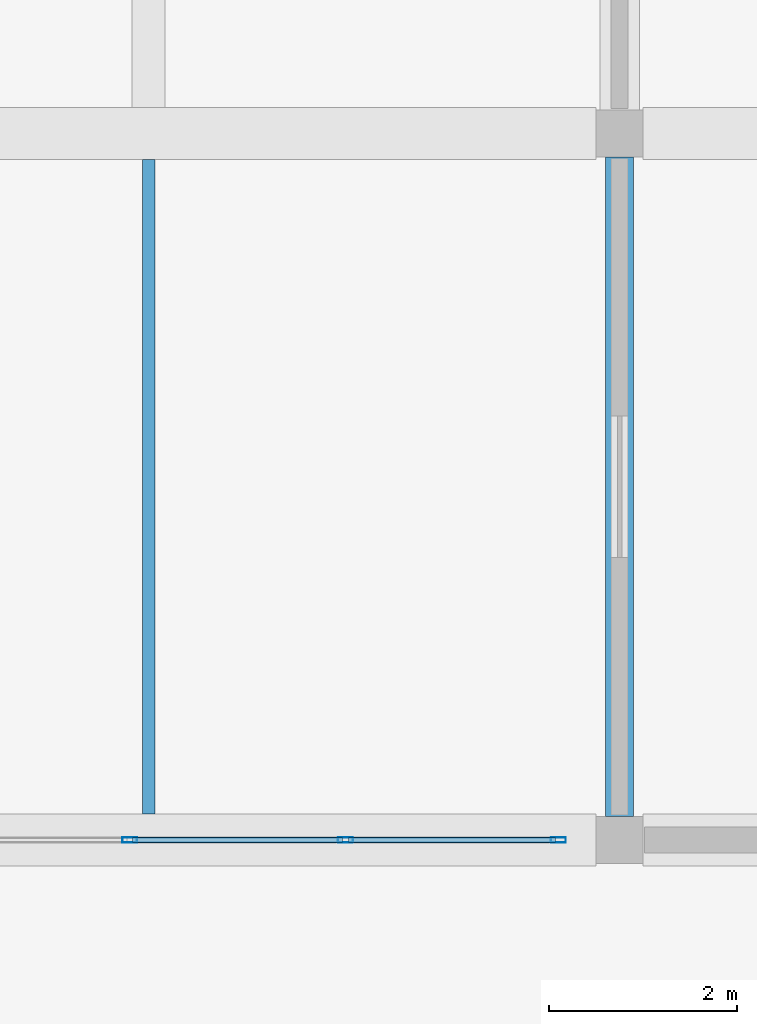
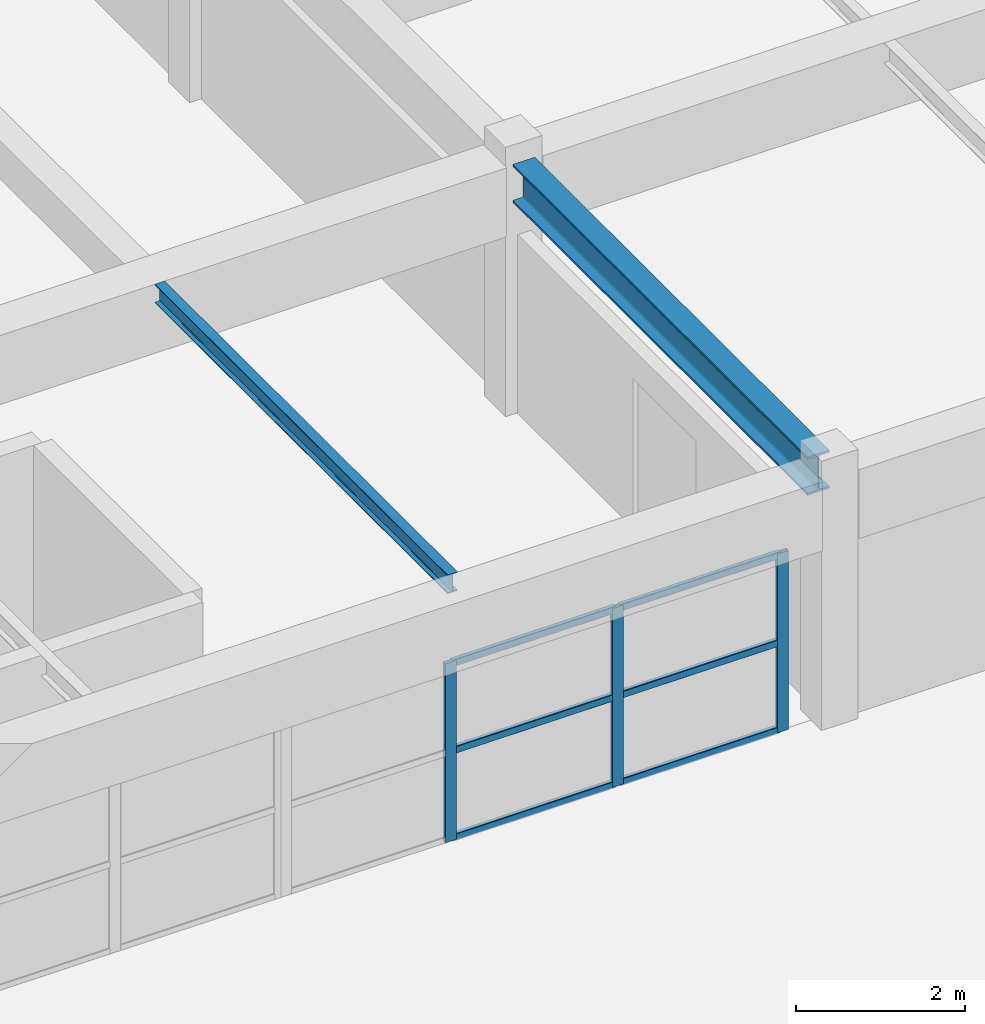
# One storey, part 6 of 82: 9 members, 2 beams, 1 element without a shape of its own.
"""IFC4 building model written with IfcOpenShell, lengths in metres."""

from ifc_helpers import new_model, si_unit, direction, frame, origin, origin_2d, place, context, subcontext, project, spatial, hollow_rectangle, i_section, extrude, material, material_profile, profile_set, type_object, element, aggregate, save


model = new_model("IFC4")

# Units and contexts
model_context = context("Model", 3, precision=1e-05, world=origin(), true_north=direction((0.0, 1.0)))
body_context = subcontext(model_context, "Body", "Model", "MODEL_VIEW")
ifc_project = project(units=[si_unit("LENGTHUNIT", "METRE"), si_unit("AREAUNIT", "SQUARE_METRE"), si_unit("VOLUMEUNIT", "CUBIC_METRE"), si_unit("PLANEANGLEUNIT", "RADIAN"), si_unit("MASSUNIT", "GRAM", prefix="KILO")], contexts=[model_context])

# Site, building, storey
site_placement = place(None, origin())
site = spatial("IfcSite", under=ifc_project, at=site_placement, CompositionType="ELEMENT")
building_placement = place(site_placement, origin())
building = spatial("IfcBuilding", under=site, at=building_placement, Name="Qasida Concert Hall", CompositionType="ELEMENT")
storey_placement = place(building_placement, frame((0.0, 0.0, 17.10009765625)))
storey = spatial("IfcBuildingStorey", under=building, at=storey_placement, Name="L04", CompositionType="ELEMENT", Elevation=17.10009765625)

# Beams
ifc_material_1 = material(Name="Steel S355J2", Category="steel")
ifc_material_profile_1 = material_profile(ifc_material_1, i_section(OverallWidth=0.300048828125, OverallDepth=0.550048828125, WebThickness=0.014892578125, FlangeThickness=0.029052734375, FilletRadius=0.027099609375, at=origin_2d()), Name="HEB 550")
ifc_profile_set_1 = profile_set([ifc_material_profile_1], Name="Steel S355J2")
beam_type_1 = type_object("IfcBeamType", Name="BM-B12", PredefinedType="BEAM", material=ifc_profile_set_1)
beam_1_placement = place(storey_placement, frame((15.0, 22.75, 3.344970703125), z_axis=(0.0, 1.0, 0.0), x_axis=(-1.0, 0.0, 0.0)))
element("IfcBeam", 1, at=beam_1_placement, inside=storey, type_object=beam_type_1, Name="L04 girder 1907", PredefinedType="BEAM", context=body_context, shape_type="SweptSolid", body=[
    extrude(i_section(OverallWidth=0.300048828125, OverallDepth=0.550048828125, WebThickness=0.014892578125, FlangeThickness=0.029052734375, FilletRadius=0.027099609375, at=origin_2d()), origin(), (0.0, 0.0, 1.0), 7.0),
])
ifc_material_profile_2 = material_profile(ifc_material_1, i_section(OverallWidth=0.135009765625, OverallDepth=0.27001953125, WebThickness=0.006591796875, FlangeThickness=0.01025390625, FilletRadius=0.014892578125, at=origin_2d()), Name="IPE 270")
ifc_profile_set_2 = profile_set([ifc_material_profile_2], Name="Steel S355J2")
beam_type_2 = type_object("IfcBeamType", Name="BM-J6", PredefinedType="JOIST", material=ifc_profile_set_2)
beam_2_placement = place(storey_placement, frame((10.0, 22.77490234375, 3.48486328125), z_axis=(0.0, 1.0, 0.0), x_axis=(-1.0, 0.0, 0.0)))
element("IfcBeam", 2, at=beam_2_placement, inside=storey, type_object=beam_type_2, Name="L04 secondary joist 1916", PredefinedType="JOIST", context=body_context, shape_type="SweptSolid", body=[
    extrude(i_section(OverallWidth=0.135009765625, OverallDepth=0.27001953125, WebThickness=0.006591796875, FlangeThickness=0.01025390625, FilletRadius=0.014892578125, at=origin_2d()), origin(), (0.0, 0.0, 1.0), 6.9501953125),
])

# Curtain wall, members
ifc_material_2 = material(Name="Architectural bronze-anodized aluminium and low-E glass", Category="aluminium")
curtain_wall_type = type_object("IfcCurtainWallType", Name="CW-12", PredefinedType="NOTDEFINED", material=ifc_material_2)
curtain_wall_placement = place(storey_placement, origin())
curtain_wall = element("IfcCurtainWall", 3, at=curtain_wall_placement, inside=storey, type_object=curtain_wall_type, Name="L04 curtain wall CW-12 0132", PredefinedType="NOTDEFINED")
ifc_material_3 = material(Name="Architectural bronze-anodized aluminium EN AW-6063", Category="aluminium")
ifc_material_profile_3 = material_profile(ifc_material_3, hollow_rectangle(XDim=0.06005859375, YDim=0.159912109375, WallThickness=0.00390625, InnerFilletRadius=0.00390625, OuterFilletRadius=0.008056640625, at=origin_2d()), Name="CWM 160x60x4")
ifc_profile_set_3 = profile_set([ifc_material_profile_3], Name="Architectural bronze-anodized aluminium EN AW-6063")
member_type_1 = type_object("IfcMemberType", Name="MB-CWM-3", PredefinedType="MULLION", material=ifc_profile_set_3)
member_1_placement = place(storey_placement, frame((9.800048828125, 22.5, 0.0), z_axis=(0.0, 0.0, 1.0), x_axis=(0.0, 1.0, 0.0)))
member_1 = element("IfcMember", 4, at=member_1_placement, type_object=member_type_1, Name="CW-12 mullion 2", PredefinedType="MULLION", context=body_context, shape_type="SweptSolid", body=[
    extrude(hollow_rectangle(XDim=0.06005859375, YDim=0.159912109375, WallThickness=0.00390625, InnerFilletRadius=0.00390625, OuterFilletRadius=0.008056640625, at=origin_2d()), origin(), (0.0, 0.0, 1.0), 2.58984375),
])
member_2_placement = place(storey_placement, frame((12.090087890625, 22.5, 0.0), z_axis=(0.0, 0.0, 1.0), x_axis=(0.0, 1.0, 0.0)))
member_2 = element("IfcMember", 5, at=member_2_placement, type_object=member_type_1, Name="CW-12 mullion 3", PredefinedType="MULLION", context=body_context, shape_type="SweptSolid", body=[
    extrude(hollow_rectangle(XDim=0.06005859375, YDim=0.159912109375, WallThickness=0.00390625, InnerFilletRadius=0.00390625, OuterFilletRadius=0.008056640625, at=origin_2d()), origin(), (0.0, 0.0, 1.0), 2.58984375),
])
member_3_placement = place(storey_placement, frame((14.35009765625, 22.5, 0.0), z_axis=(0.0, 0.0, 1.0), x_axis=(0.0, 1.0, 0.0)))
member_3 = element("IfcMember", 6, at=member_3_placement, type_object=member_type_1, Name="CW-12 mullion 4", PredefinedType="MULLION", context=body_context, shape_type="SweptSolid", body=[
    extrude(hollow_rectangle(XDim=0.06005859375, YDim=0.159912109375, WallThickness=0.00390625, InnerFilletRadius=0.00390625, OuterFilletRadius=0.008056640625, at=origin_2d()), origin(), (0.0, 0.0, 1.0), 2.58984375),
])
ifc_material_profile_4 = material_profile(ifc_material_3, hollow_rectangle(XDim=0.06005859375, YDim=0.10009765625, WallThickness=0.00341796875, InnerFilletRadius=0.00341796875, OuterFilletRadius=0.007080078125, at=origin_2d()), Name="CWT 100x60x3.5")
ifc_profile_set_4 = profile_set([ifc_material_profile_4], Name="Architectural bronze-anodized aluminium EN AW-6063")
member_type_2 = type_object("IfcMemberType", Name="MB-CWT-3", PredefinedType="USERDEFINED", material=ifc_profile_set_4)
member_4_placement = place(storey_placement, frame((9.830078125, 22.5, 0.02978515625), z_axis=(1.0, 0.0, 0.0), x_axis=(0.0, 1.0, 0.0)))
member_4 = element("IfcMember", 7, at=member_4_placement, type_object=member_type_2, Name="CW-12 transom 2.1", ObjectType="TRANSOM", PredefinedType="USERDEFINED", context=body_context, shape_type="SweptSolid", body=[
    extrude(hollow_rectangle(XDim=0.06005859375, YDim=0.10009765625, WallThickness=0.00341796875, InnerFilletRadius=0.00341796875, OuterFilletRadius=0.007080078125, at=origin_2d()), origin(), (0.0, 0.0, 1.0), 2.22998046875),
])
member_5_placement = place(storey_placement, frame((9.830078125, 22.5, 1.294921875), z_axis=(1.0, 0.0, 0.0), x_axis=(0.0, 1.0, 0.0)))
member_5 = element("IfcMember", 8, at=member_5_placement, type_object=member_type_2, Name="CW-12 transom 2.2", ObjectType="TRANSOM", PredefinedType="USERDEFINED", context=body_context, shape_type="SweptSolid", body=[
    extrude(hollow_rectangle(XDim=0.06005859375, YDim=0.10009765625, WallThickness=0.00341796875, InnerFilletRadius=0.00341796875, OuterFilletRadius=0.007080078125, at=origin_2d()), origin(), (0.0, 0.0, 1.0), 2.22998046875),
])
member_6_placement = place(storey_placement, frame((9.830078125, 22.5, 2.559814453125), z_axis=(1.0, 0.0, 0.0), x_axis=(0.0, 1.0, 0.0)))
member_6 = element("IfcMember", 9, at=member_6_placement, type_object=member_type_2, Name="CW-12 transom 2.3", ObjectType="TRANSOM", PredefinedType="USERDEFINED", context=body_context, shape_type="SweptSolid", body=[
    extrude(hollow_rectangle(XDim=0.06005859375, YDim=0.10009765625, WallThickness=0.00341796875, InnerFilletRadius=0.00341796875, OuterFilletRadius=0.007080078125, at=origin_2d()), origin(), (0.0, 0.0, 1.0), 2.22998046875),
])
member_7_placement = place(storey_placement, frame((12.1201171875, 22.5, 0.02978515625), z_axis=(1.0, 0.0, 0.0), x_axis=(0.0, 1.0, 0.0)))
member_7 = element("IfcMember", 10, at=member_7_placement, type_object=member_type_2, Name="CW-12 transom 3.1", ObjectType="TRANSOM", PredefinedType="USERDEFINED", context=body_context, shape_type="SweptSolid", body=[
    extrude(hollow_rectangle(XDim=0.06005859375, YDim=0.10009765625, WallThickness=0.00341796875, InnerFilletRadius=0.00341796875, OuterFilletRadius=0.007080078125, at=origin_2d()), origin(), (0.0, 0.0, 1.0), 2.199951171875),
])
member_8_placement = place(storey_placement, frame((12.1201171875, 22.5, 1.294921875), z_axis=(1.0, 0.0, 0.0), x_axis=(0.0, 1.0, 0.0)))
member_8 = element("IfcMember", 11, at=member_8_placement, type_object=member_type_2, Name="CW-12 transom 3.2", ObjectType="TRANSOM", PredefinedType="USERDEFINED", context=body_context, shape_type="SweptSolid", body=[
    extrude(hollow_rectangle(XDim=0.06005859375, YDim=0.10009765625, WallThickness=0.00341796875, InnerFilletRadius=0.00341796875, OuterFilletRadius=0.007080078125, at=origin_2d()), origin(), (0.0, 0.0, 1.0), 2.199951171875),
])
member_9_placement = place(storey_placement, frame((12.1201171875, 22.5, 2.559814453125), z_axis=(1.0, 0.0, 0.0), x_axis=(0.0, 1.0, 0.0)))
member_9 = element("IfcMember", 12, at=member_9_placement, type_object=member_type_2, Name="CW-12 transom 3.3", ObjectType="TRANSOM", PredefinedType="USERDEFINED", context=body_context, shape_type="SweptSolid", body=[
    extrude(hollow_rectangle(XDim=0.06005859375, YDim=0.10009765625, WallThickness=0.00341796875, InnerFilletRadius=0.00341796875, OuterFilletRadius=0.007080078125, at=origin_2d()), origin(), (0.0, 0.0, 1.0), 2.199951171875),
])
aggregate(curtain_wall, [member_1, member_2, member_3, member_4, member_5, member_6, member_7, member_8, member_9])

save(model, "model.ifc")
